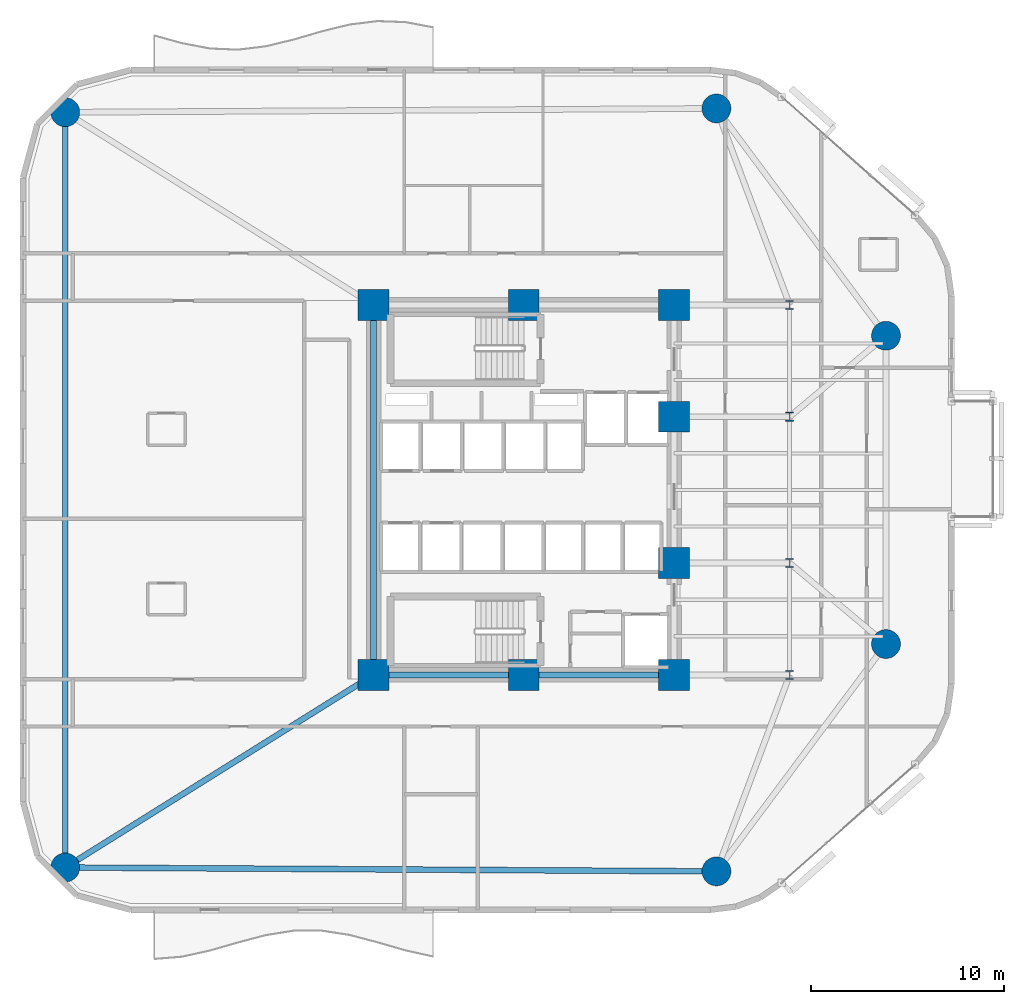
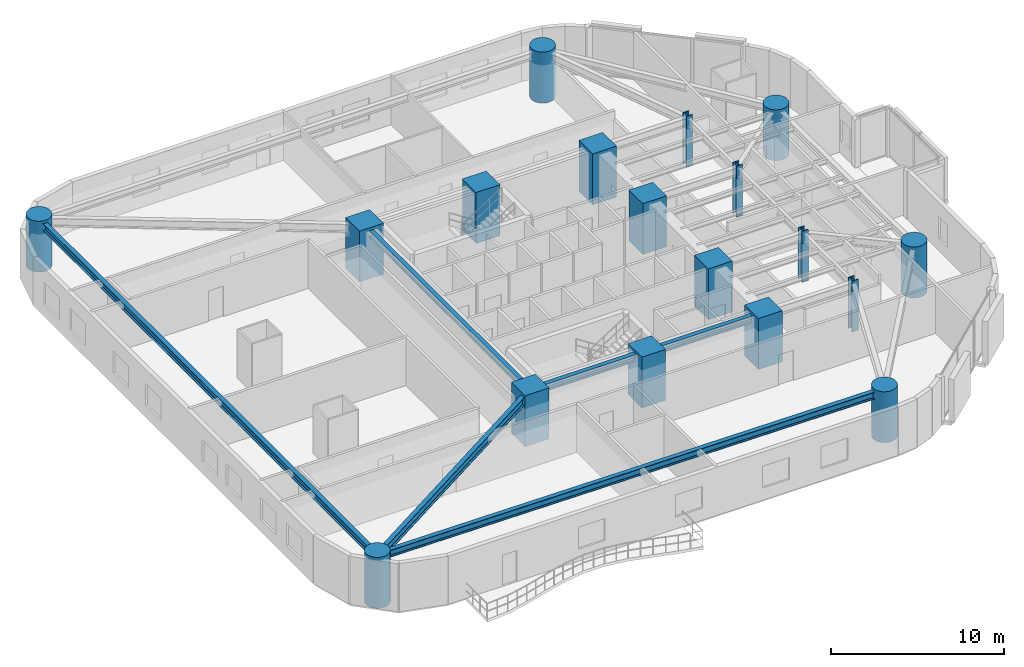
# One storey, part 1 of 16: 18 columns, 5 beams.
"""IFC4 building model written with IfcOpenShell, lengths in metres."""

from ifc_helpers import new_model, si_unit, direction, frame, origin, origin_2d, place, context, subcontext, project, spatial, rectangle, circle, i_section, extrude, material, material_profile, profile_set, type_object, element, save


model = new_model("IFC4")

# Units and contexts
model_context = context("Model", 3, precision=1e-05, world=origin(), true_north=direction((0.0, 1.0)))
body_context = subcontext(model_context, "Body", "Model", "MODEL_VIEW")
ifc_project = project(units=[si_unit("LENGTHUNIT", "METRE"), si_unit("AREAUNIT", "SQUARE_METRE"), si_unit("VOLUMEUNIT", "CUBIC_METRE"), si_unit("PLANEANGLEUNIT", "RADIAN"), si_unit("MASSUNIT", "GRAM", prefix="KILO")], contexts=[model_context])

# Site, building, storey
site_placement = place(None, origin())
site = spatial("IfcSite", under=ifc_project, at=site_placement, CompositionType="ELEMENT")
building_placement = place(site_placement, origin())
building = spatial("IfcBuilding", under=site, at=building_placement, Name="An Khanh Terracotta Commons", CompositionType="ELEMENT")
storey_placement = place(building_placement, frame((0.0, 0.0, 68.39990234375)))
storey = spatial("IfcBuildingStorey", under=building, at=storey_placement, Name="L18", CompositionType="ELEMENT", Elevation=68.39990234375)

# Columns
ifc_material_1 = material(Name="Concrete C70/85", Category="concrete")
ifc_material_profile_1 = material_profile(ifc_material_1, circle(Radius=0.75, at=origin_2d()), Name="CFST1500")
ifc_profile_set_1 = profile_set([ifc_material_profile_1], Name="Concrete C70/85")
column_type_1 = type_object("IfcColumnType", Name="COL-CFST1500", PredefinedType="COLUMN", material=ifc_profile_set_1)
for number, where, z_axis, x_axis, name in (
    (1, (5.60009765625, 4.39990234375, 0.0), (0.0, 0.0, 1.0), (1.0, 0.0, 0.0), "L18 Perimeter CFST Mega-Column MC-01"),
    (2, (39.39990234375, 4.199951171875, 0.0), (0.0, 0.0, 1.0), (1.0, 0.0, 0.0), "L18 Perimeter CFST Mega-Column MC-02"),
    (3, (48.199951171875, 16.0, 0.0), (0.0, 0.0, 1.0), (1.0, 0.0, 0.0), "L18 Perimeter CFST Mega-Column MC-03"),
    (4, (48.199951171875, 32.0, 0.0), (0.0, 0.0, 1.0), (1.0, 0.0, 0.0), "L18 Perimeter CFST Mega-Column MC-04"),
    (5, (39.39990234375, 43.800048828125, 0.0), (0.0, 0.0, 1.0), (1.0, 0.0, 0.0), "L18 Perimeter CFST Mega-Column MC-05"),
    (6, (5.60009765625, 43.60009765625, 0.0), (0.0, 0.0, 1.0), (1.0, 0.0, 0.0), "L18 Perimeter CFST Mega-Column MC-06"),
):
    element("IfcColumn", number, at=place(storey_placement, frame(where, z_axis=z_axis, x_axis=x_axis)), inside=storey, type_object=column_type_1, Name=name, PredefinedType="COLUMN", context=body_context, shape_type="SweptSolid", body=[
        extrude(circle(Radius=0.75, at=origin_2d()), origin(), (0.0, 0.0, 1.0), 3.60009765625),
    ])
ifc_material_2 = material(Name="Steel S460ML", Category="steel")
ifc_material_profile_2 = material_profile(ifc_material_2, i_section(OverallWidth=0.4169921875, OverallDepth=0.47705078125, WebThickness=0.035888671875, FlangeThickness=0.057373046875, FilletRadius=0.014892578125, at=origin_2d()), Name="HD400x463")
ifc_profile_set_2 = profile_set([ifc_material_profile_2], Name="Steel S460ML")
column_type_2 = type_object("IfcColumnType", Name="COL-HD400x463", PredefinedType="COLUMN", material=ifc_profile_set_2)
for number, where, z_axis, x_axis, name in (
    (7, (43.199951171875, 14.39990234375, 0.0), (0.0, 0.0, 1.0), (1.0, 0.0, 0.0), "L18 Interior Frame Column TC-01"),
    (8, (43.199951171875, 20.199951171875, 0.0), (0.0, 0.0, 1.0), (1.0, 0.0, 0.0), "L18 Interior Frame Column TC-02"),
    (9, (43.199951171875, 27.800048828125, 0.0), (0.0, 0.0, 1.0), (1.0, 0.0, 0.0), "L18 Interior Frame Column TC-03"),
    (10, (43.199951171875, 33.60009765625, 0.0), (0.0, 0.0, 1.0), (1.0, 0.0, 0.0), "L18 Interior Frame Column TC-04"),
):
    element("IfcColumn", number, at=place(storey_placement, frame(where, z_axis=z_axis, x_axis=x_axis)), inside=storey, type_object=column_type_2, Name=name, PredefinedType="COLUMN", context=body_context, shape_type="SweptSolid", body=[
        extrude(i_section(OverallWidth=0.4169921875, OverallDepth=0.47705078125, WebThickness=0.035888671875, FlangeThickness=0.057373046875, FilletRadius=0.014892578125, at=origin_2d()), origin(), (0.0, 0.0, 1.0), 3.60009765625),
    ])
ifc_material_profile_3 = material_profile(ifc_material_1, rectangle(XDim=1.60009765625, YDim=1.60009765625, at=origin_2d()), Name="RC1600x1600")
ifc_profile_set_3 = profile_set([ifc_material_profile_3], Name="Concrete C70/85")
column_type_3 = type_object("IfcColumnType", Name="COL-RC1600x1600", PredefinedType="COLUMN", material=ifc_profile_set_3)
for number, where, z_axis, x_axis, name in (
    (11, (21.60009765625, 14.39990234375, 0.0), (0.0, 0.0, 1.0), (1.0, 0.0, 0.0), "L18 Core Boundary Column CC-01"),
    (12, (29.39990234375, 14.39990234375, 0.0), (0.0, 0.0, 1.0), (1.0, 0.0, 0.0), "L18 Core Boundary Column CC-02"),
    (13, (37.199951171875, 14.39990234375, 0.0), (0.0, 0.0, 1.0), (1.0, 0.0, 0.0), "L18 Core Boundary Column CC-03"),
    (14, (37.199951171875, 20.199951171875, 0.0), (0.0, 0.0, 1.0), (1.0, 0.0, 0.0), "L18 Core Boundary Column CC-04"),
    (15, (37.199951171875, 27.800048828125, 0.0), (0.0, 0.0, 1.0), (1.0, 0.0, 0.0), "L18 Core Boundary Column CC-05"),
    (16, (37.199951171875, 33.60009765625, 0.0), (0.0, 0.0, 1.0), (1.0, 0.0, 0.0), "L18 Core Boundary Column CC-06"),
    (17, (29.39990234375, 33.60009765625, 0.0), (0.0, 0.0, 1.0), (1.0, 0.0, 0.0), "L18 Core Boundary Column CC-07"),
    (18, (21.60009765625, 33.60009765625, 0.0), (0.0, 0.0, 1.0), (1.0, 0.0, 0.0), "L18 Core Boundary Column CC-08"),
):
    element("IfcColumn", number, at=place(storey_placement, frame(where, z_axis=z_axis, x_axis=x_axis)), inside=storey, type_object=column_type_3, Name=name, PredefinedType="COLUMN", context=body_context, shape_type="SweptSolid", body=[
        extrude(rectangle(XDim=1.60009765625, YDim=1.60009765625, at=origin_2d()), origin(), (0.0, 0.0, 1.0), 3.60009765625),
    ])

# Beams
ifc_material_3 = material(Name="Steel S355J2", Category="steel")
ifc_material_profile_4 = material_profile(ifc_material_3, i_section(OverallWidth=0.300048828125, OverallDepth=0.449951171875, WebThickness=0.013916015625, FlangeThickness=0.02587890625, FilletRadius=0.027099609375, at=origin_2d()), Name="HEB450")
ifc_profile_set_4 = profile_set([ifc_material_profile_4], Name="Steel S355J2")
beam_type_1 = type_object("IfcBeamType", Name="BM-HEB450", PredefinedType="BEAM", material=ifc_profile_set_4)
beam_1_placement = place(storey_placement, frame((21.60009765625, 14.39990234375, 3.175048828125), z_axis=(0.0, 1.0, 0.0), x_axis=(-1.0, 0.0, 0.0)))
element("IfcBeam", 19, at=beam_1_placement, inside=storey, type_object=beam_type_1, Name="L18 Core West Coupling Girder", PredefinedType="BEAM", context=body_context, shape_type="SweptSolid", body=[
    extrude(i_section(OverallWidth=0.300048828125, OverallDepth=0.449951171875, WebThickness=0.013916015625, FlangeThickness=0.02587890625, FilletRadius=0.027099609375, at=origin_2d()), origin(), (0.0, 0.0, 1.0), 19.2001953125),
])
ifc_material_profile_5 = material_profile(ifc_material_3, i_section(OverallWidth=0.300048828125, OverallDepth=0.5, WebThickness=0.014404296875, FlangeThickness=0.028076171875, FilletRadius=0.027099609375, at=origin_2d()), Name="HEB500")
ifc_profile_set_5 = profile_set([ifc_material_profile_5], Name="Steel S355J2")
beam_type_2 = type_object("IfcBeamType", Name="BM-HEB500", PredefinedType="BEAM", material=ifc_profile_set_5)
beam_2_placement = place(storey_placement, frame((21.60009765625, 14.39990234375, 3.150146484375), z_axis=(1.0, 0.0, 0.0), x_axis=(0.0, 1.0, 0.0)))
element("IfcBeam", 20, at=beam_2_placement, inside=storey, type_object=beam_type_2, Name="L18 Core South Coupling Girder", PredefinedType="BEAM", context=body_context, shape_type="SweptSolid", body=[
    extrude(i_section(OverallWidth=0.300048828125, OverallDepth=0.5, WebThickness=0.014404296875, FlangeThickness=0.028076171875, FilletRadius=0.027099609375, at=origin_2d()), origin(), (0.0, 0.0, 1.0), 15.599853515625),
])
beam_3_placement = place(storey_placement, frame((5.60009765625, 4.39990234375, 3.150146484375), z_axis=(0.999982502414, -0.005915645817, 0.0), x_axis=(0.005915645817, 0.999982502414, 0.0)))
element("IfcBeam", 21, at=beam_3_placement, inside=storey, type_object=beam_type_2, Name="L18 Perimeter Ring Spandrel 1", PredefinedType="BEAM", context=body_context, shape_type="SweptSolid", body=[
    extrude(i_section(OverallWidth=0.300048828125, OverallDepth=0.5, WebThickness=0.014404296875, FlangeThickness=0.028076171875, FilletRadius=0.027099609375, at=origin_2d()), origin(), (0.0, 0.0, 1.0), 33.80029296875),
])
beam_4_placement = place(storey_placement, frame((5.60009765625, 43.60009765625, 3.150146484375), z_axis=(0.0, -1.0, 0.0), x_axis=(1.0, 0.0, 0.0)))
element("IfcBeam", 22, at=beam_4_placement, inside=storey, type_object=beam_type_2, Name="L18 Perimeter Ring Spandrel 6", PredefinedType="BEAM", context=body_context, shape_type="SweptSolid", body=[
    extrude(i_section(OverallWidth=0.300048828125, OverallDepth=0.5, WebThickness=0.014404296875, FlangeThickness=0.028076171875, FilletRadius=0.027099609375, at=origin_2d()), origin(), (0.0, 0.0, 1.0), 39.2001953125),
])
ifc_material_profile_6 = material_profile(ifc_material_3, i_section(OverallWidth=0.300048828125, OverallDepth=0.60009765625, WebThickness=0.015380859375, FlangeThickness=0.030029296875, FilletRadius=0.027099609375, at=origin_2d()), Name="HEB600")
ifc_profile_set_6 = profile_set([ifc_material_profile_6], Name="Steel S355J2")
beam_type_3 = type_object("IfcBeamType", Name="BM-HEB600", PredefinedType="BEAM", material=ifc_profile_set_6)
beam_5_placement = place(storey_placement, frame((5.60009765625, 4.39990234375, 3.10009765625), z_axis=(0.847998304005, 0.529998940003, 0.0), x_axis=(-0.529998940003, 0.847998304005, 0.0)))
element("IfcBeam", 23, at=beam_5_placement, inside=storey, type_object=beam_type_3, Name="L18 Mega-Column Tie Girder 1", PredefinedType="BEAM", context=body_context, shape_type="SweptSolid", body=[
    extrude(i_section(OverallWidth=0.300048828125, OverallDepth=0.60009765625, WebThickness=0.015380859375, FlangeThickness=0.030029296875, FilletRadius=0.027099609375, at=origin_2d()), origin(), (0.0, 0.0, 1.0), 18.867919921875),
])

save(model, "model.ifc")
